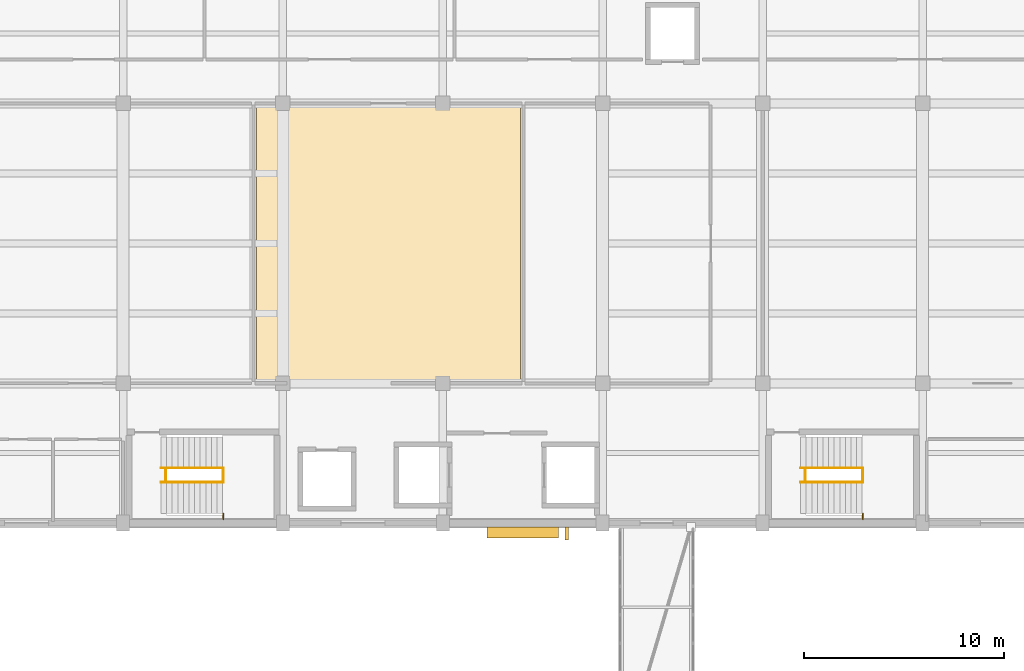
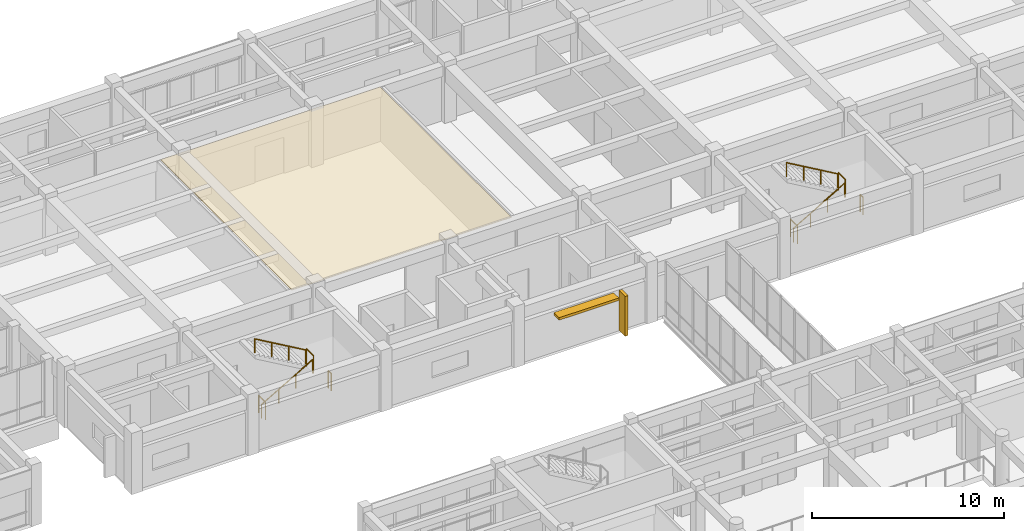
# One storey, part 62 of 66: 10 railings, 2 shading devices, 1 covering.
"""IFC4 building model written with IfcOpenShell, lengths in metres."""

from ifc_helpers import new_model, si_unit, direction, frame, origin, origin_2d, place, context, subcontext, project, spatial, polyline, rectangle, circle, outline, extrude, material, layer, layer_set, type_object, element, save


model = new_model("IFC4")

# Units and contexts
model_context = context("Model", 3, precision=1e-05, world=origin(), true_north=direction((0.0, 1.0)))
body_context = subcontext(model_context, "Body", "Model", "MODEL_VIEW")
ifc_project = project(units=[si_unit("LENGTHUNIT", "METRE"), si_unit("AREAUNIT", "SQUARE_METRE"), si_unit("VOLUMEUNIT", "CUBIC_METRE"), si_unit("PLANEANGLEUNIT", "RADIAN"), si_unit("MASSUNIT", "GRAM", prefix="KILO")], contexts=[model_context])

# Site, building, storey
site_placement = place(None, origin())
site = spatial("IfcSite", under=ifc_project, at=site_placement, CompositionType="ELEMENT")
building_placement = place(site_placement, origin())
building = spatial("IfcBuilding", under=site, at=building_placement, Name="Naurynzar Civic Courthouse", CompositionType="ELEMENT")
storey_placement = place(building_placement, frame((0.0, 0.0, 14.39990234375)))
storey = spatial("IfcBuildingStorey", under=building, at=storey_placement, Name="L04", CompositionType="ELEMENT", Elevation=14.39990234375)

# Covering
ifc_material_1 = material(Name="Acoustic Oak Timber Grade A", Category="wood")
ifc_layer = layer(ifc_material_1, 0.044921875)
ifc_layer_set = layer_set([ifc_layer], Name="CEIL-ACOUSTIC-OAK-45")
covering_type = type_object("IfcCoveringType", Name="CEIL-ACOUSTIC-OAK-45", PredefinedType="CEILING", material=ifc_layer_set)
covering_placement = place(storey_placement, frame((0.0, 0.0, 3.51513671875)))
element("IfcCovering", 1, at=covering_placement, inside=storey, type_object=covering_type, Name="Acoustic suspended ceiling Commercial Courtroom 4B", PredefinedType="CEILING", context=body_context, shape_type="SweptSolid", body=[
    extrude(outline(polyline([(88.8798828125, 51.159912109375), (75.679931640625, 51.159912109375), (75.679931640625, 64.840087890625), (88.8798828125, 64.840087890625), (88.8798828125, 51.159912109375)])), origin(), (0.0, 0.0, 1.0), 0.044921875),
])

# Railings
ifc_material_2 = material(Name="Brushed Stainless Steel 304", Category="steel")
railing_type_1 = type_object("IfcRailingType", Name="RAIL-BAL-1100", PredefinedType="BALUSTRADE", material=ifc_material_2)
for number, where, name in (
    (2, (71.139892578125, 46.0400390625, 0.0), "Stair ST-V2A floor well slot guard L04"),
    (3, (74.02001953125, 46.0400390625, 1.9501953125), "Stair ST-V2A-L04 half-landing well guard"),
):
    element("IfcRailing", number, at=place(storey_placement, frame(where)), inside=storey, type_object=railing_type_1, Name=name, PredefinedType="BALUSTRADE", context=body_context, shape_type="SweptSolid", body=[
        extrude(circle(Radius=0.02392578125, at=origin_2d()), frame((0.0, 0.0, 1.09619140625), z_axis=(0.0, 1.0, 0.0), x_axis=(-1.0, 0.0, 0.0)), (0.0, 0.0, 1.0), 0.719970703125),
        extrude(circle(Radius=0.02099609375, at=origin_2d()), origin(), (0.0, 0.0, 1.0), 1.072021484375),
        extrude(circle(Radius=0.02099609375, at=origin_2d()), frame((0.0, 0.719970703125, 0.0)), (0.0, 0.0, 1.0), 1.072021484375),
    ])
railing_1_placement = place(storey_placement, frame((74.02001953125, 44.195068359375, 1.9501953125)))
element("IfcRailing", 4, at=railing_1_placement, inside=storey, type_object=railing_type_1, Name="Stair ST-V2A-L04 half-landing south slot guard", PredefinedType="BALUSTRADE", context=body_context, shape_type="SweptSolid", body=[
    extrude(circle(Radius=0.02392578125, at=origin_2d()), frame((0.0, 0.0, 1.09619140625), z_axis=(0.0, 1.0, 0.0), x_axis=(-1.0, 0.0, 0.0)), (0.0, 0.0, 1.0), 0.284912109375),
    extrude(circle(Radius=0.02099609375, at=origin_2d()), origin(), (0.0, 0.0, 1.0), 1.072021484375),
    extrude(circle(Radius=0.02099609375, at=origin_2d()), frame((0.0, 0.284912109375, 0.0)), (0.0, 0.0, 1.0), 1.072021484375),
])
for number, where, name in (
    (5, (103.139892578125, 46.0400390625, 0.0), "Stair ST-V2B floor well slot guard L04"),
    (6, (106.02001953125, 46.0400390625, 1.9501953125), "Stair ST-V2B-L04 half-landing well guard"),
):
    element("IfcRailing", number, at=place(storey_placement, frame(where)), inside=storey, type_object=railing_type_1, Name=name, PredefinedType="BALUSTRADE", context=body_context, shape_type="SweptSolid", body=[
        extrude(circle(Radius=0.02392578125, at=origin_2d()), frame((0.0, 0.0, 1.09619140625), z_axis=(0.0, 1.0, 0.0), x_axis=(-1.0, 0.0, 0.0)), (0.0, 0.0, 1.0), 0.719970703125),
        extrude(circle(Radius=0.02099609375, at=origin_2d()), origin(), (0.0, 0.0, 1.0), 1.072021484375),
        extrude(circle(Radius=0.02099609375, at=origin_2d()), frame((0.0, 0.719970703125, 0.0)), (0.0, 0.0, 1.0), 1.072021484375),
    ])
railing_2_placement = place(storey_placement, frame((106.02001953125, 44.195068359375, 1.9501953125)))
element("IfcRailing", 7, at=railing_2_placement, inside=storey, type_object=railing_type_1, Name="Stair ST-V2B-L04 half-landing south slot guard", PredefinedType="BALUSTRADE", context=body_context, shape_type="SweptSolid", body=[
    extrude(circle(Radius=0.02392578125, at=origin_2d()), frame((0.0, 0.0, 1.09619140625), z_axis=(0.0, 1.0, 0.0), x_axis=(-1.0, 0.0, 0.0)), (0.0, 0.0, 1.0), 0.284912109375),
    extrude(circle(Radius=0.02099609375, at=origin_2d()), origin(), (0.0, 0.0, 1.0), 1.072021484375),
    extrude(circle(Radius=0.02099609375, at=origin_2d()), frame((0.0, 0.284912109375, 0.0)), (0.0, 0.0, 1.0), 1.072021484375),
])
ifc_material_3 = material(Name="Brushed Stainless Steel 304", Category="steel")
railing_type_2 = type_object("IfcRailingType", Name="RAIL-HR-900", PredefinedType="HANDRAIL", material=ifc_material_3)
railing_3_placement = place(storey_placement, frame((70.89990234375, 46.0400390625, 0.16259765625)))
element("IfcRailing", 8, at=railing_3_placement, inside=storey, type_object=railing_type_2, Name="Stair ST-V2A-L04 flight 1 handrail", PredefinedType="HANDRAIL", context=body_context, shape_type="SweptSolid", body=[
    extrude(circle(Radius=0.02392578125, at=origin_2d()), frame((0.0, 0.0, 0.8759765625), z_axis=(0.864890721111, 0.0, 0.501960198159), x_axis=(0.0, 1.0, 0.0)), (0.0, 0.0, 1.0), 3.561279296875),
    extrude(circle(Radius=0.02099609375, at=origin_2d()), origin(), (0.0, 0.0, 1.0), 0.851806640625),
    extrude(circle(Radius=0.02099609375, at=origin_2d()), frame((1.026611328125, 0.0, 0.595947265625)), (0.0, 0.0, 1.0), 0.851806640625),
    extrude(circle(Radius=0.02099609375, at=origin_2d()), frame((2.053466796875, 0.0, 1.191650390625)), (0.0, 0.0, 1.0), 0.851806640625),
    extrude(circle(Radius=0.02099609375, at=origin_2d()), frame((3.080078125, 0.0, 1.78759765625)), (0.0, 0.0, 1.0), 0.851806640625),
])
railing_4_placement = place(storey_placement, frame((73.97998046875, 46.760009765625, 2.112548828125)))
element("IfcRailing", 9, at=railing_4_placement, inside=storey, type_object=railing_type_2, Name="Stair ST-V2A-L04 flight 2 handrail", PredefinedType="HANDRAIL", context=body_context, shape_type="SweptSolid", body=[
    extrude(circle(Radius=0.02392578125, at=origin_2d()), frame((0.0, 0.0, 0.8759765625), z_axis=(-0.864890721111, 0.0, 0.501960198159), x_axis=(0.0, -1.0, 0.0)), (0.0, 0.0, 1.0), 3.561279296875),
    extrude(circle(Radius=0.02099609375, at=origin_2d()), origin(), (0.0, 0.0, 1.0), 0.851806640625),
    extrude(circle(Radius=0.02099609375, at=origin_2d()), frame((-1.026611328125, 0.0, 0.595947265625)), (0.0, 0.0, 1.0), 0.851806640625),
    extrude(circle(Radius=0.02099609375, at=origin_2d()), frame((-2.053466796875, 0.0, 1.191650390625)), (0.0, 0.0, 1.0), 0.851806640625),
    extrude(circle(Radius=0.02099609375, at=origin_2d()), frame((-3.080078125, 0.0, 1.78759765625)), (0.0, 0.0, 1.0), 0.851806640625),
])
railing_5_placement = place(storey_placement, frame((102.89990234375, 46.0400390625, 0.16259765625)))
element("IfcRailing", 10, at=railing_5_placement, inside=storey, type_object=railing_type_2, Name="Stair ST-V2B-L04 flight 1 handrail", PredefinedType="HANDRAIL", context=body_context, shape_type="SweptSolid", body=[
    extrude(circle(Radius=0.02392578125, at=origin_2d()), frame((0.0, 0.0, 0.8759765625), z_axis=(0.864890721111, 0.0, 0.501960198159), x_axis=(0.0, 1.0, 0.0)), (0.0, 0.0, 1.0), 3.561279296875),
    extrude(circle(Radius=0.02099609375, at=origin_2d()), origin(), (0.0, 0.0, 1.0), 0.851806640625),
    extrude(circle(Radius=0.02099609375, at=origin_2d()), frame((1.026611328125, 0.0, 0.595947265625)), (0.0, 0.0, 1.0), 0.851806640625),
    extrude(circle(Radius=0.02099609375, at=origin_2d()), frame((2.053466796875, 0.0, 1.191650390625)), (0.0, 0.0, 1.0), 0.851806640625),
    extrude(circle(Radius=0.02099609375, at=origin_2d()), frame((3.080078125, 0.0, 1.78759765625)), (0.0, 0.0, 1.0), 0.851806640625),
])
railing_6_placement = place(storey_placement, frame((105.97998046875, 46.760009765625, 2.112548828125)))
element("IfcRailing", 11, at=railing_6_placement, inside=storey, type_object=railing_type_2, Name="Stair ST-V2B-L04 flight 2 handrail", PredefinedType="HANDRAIL", context=body_context, shape_type="SweptSolid", body=[
    extrude(circle(Radius=0.02392578125, at=origin_2d()), frame((0.0, 0.0, 0.8759765625), z_axis=(-0.864890721111, 0.0, 0.501960198159), x_axis=(0.0, -1.0, 0.0)), (0.0, 0.0, 1.0), 3.561279296875),
    extrude(circle(Radius=0.02099609375, at=origin_2d()), origin(), (0.0, 0.0, 1.0), 0.851806640625),
    extrude(circle(Radius=0.02099609375, at=origin_2d()), frame((-1.026611328125, 0.0, 0.595947265625)), (0.0, 0.0, 1.0), 0.851806640625),
    extrude(circle(Radius=0.02099609375, at=origin_2d()), frame((-2.053466796875, 0.0, 1.191650390625)), (0.0, 0.0, 1.0), 0.851806640625),
    extrude(circle(Radius=0.02099609375, at=origin_2d()), frame((-3.080078125, 0.0, 1.78759765625)), (0.0, 0.0, 1.0), 0.851806640625),
])

# Shading devices
ifc_material_4 = material(Name="Precast concrete C40/50", Category="concrete")
shading_device_type_1 = type_object("IfcShadingDeviceType", Name="SHD-FIN-V650", PredefinedType="JALOUSIE", material=ifc_material_4)
shading_device_1_placement = place(storey_placement, frame((91.205078125, 43.489990234375, 0.0400390625), z_axis=(0.0, 0.0, 1.0), x_axis=(-1.0, 0.0, 0.0)))
element("IfcShadingDevice", 12, at=shading_device_1_placement, inside=storey, type_object=shading_device_type_1, Name="V2 vertical brise-soleil fin 22", PredefinedType="JALOUSIE", context=body_context, shape_type="SweptSolid", body=[
    extrude(rectangle(XDim=0.179931640625, YDim=0.64990234375, at=origin_2d()), origin(), (0.0, 0.0, 1.0), 2.530029296875),
])
ifc_material_5 = material(Name="Precast concrete C40/50", Category="concrete")
shading_device_type_2 = type_object("IfcShadingDeviceType", Name="SHD-LOUV-H550", PredefinedType="SHUTTER", material=ifc_material_5)
shading_device_2_placement = place(storey_placement, frame((89.0, 43.5400390625, 2.3701171875), z_axis=(0.0, 0.0, 1.0), x_axis=(-1.0, 0.0, 0.0)))
element("IfcShadingDevice", 13, at=shading_device_2_placement, inside=storey, type_object=shading_device_type_2, Name="V2 horizontal solar sun-breaker 22", PredefinedType="SHUTTER", context=body_context, shape_type="SweptSolid", body=[
    extrude(rectangle(XDim=3.60009765625, YDim=0.550048828125, at=origin_2d()), origin(), (0.0, 0.0, 1.0), 0.159912109375),
])

save(model, "model.ifc")
